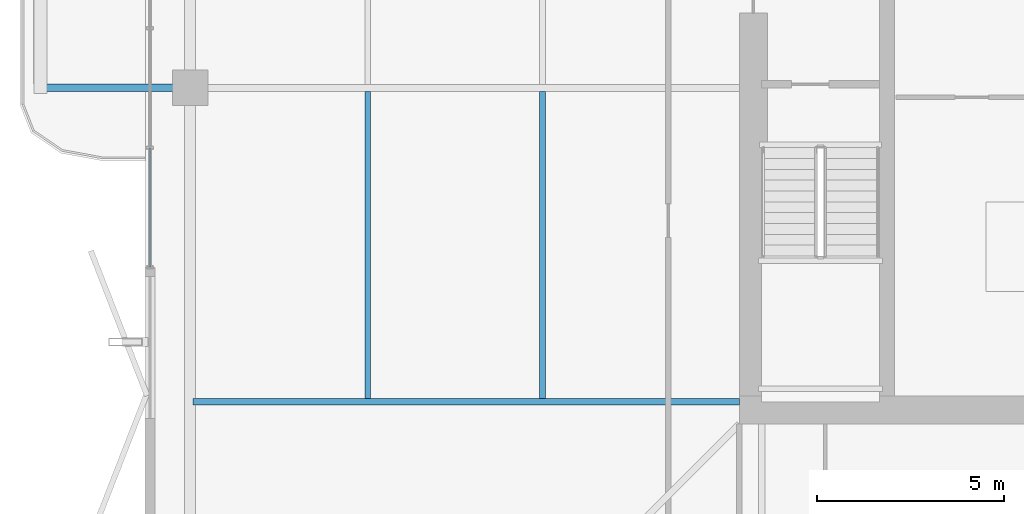
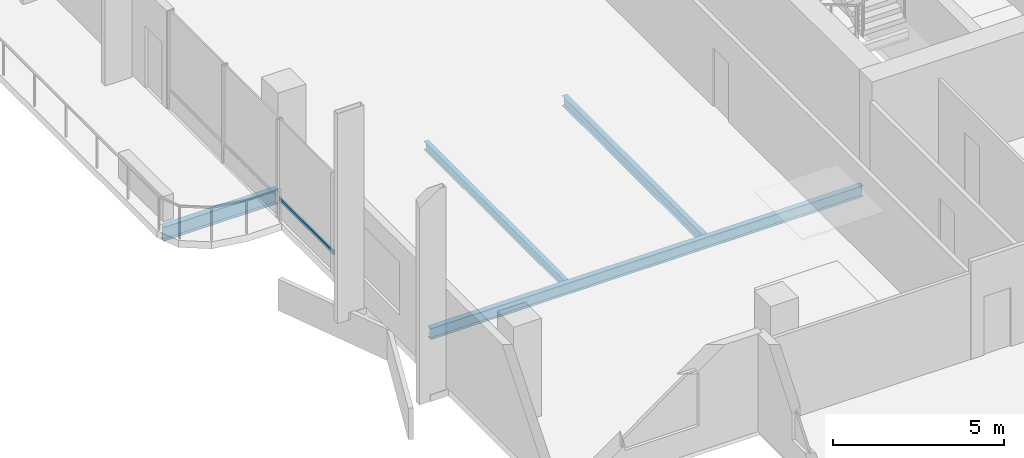
# One storey, part 5 of 25: 4 beams, 1 member, 1 element without a shape of its own.
"""IFC4 building model written with IfcOpenShell, lengths in metres."""

import ifcopenshell
import ifcopenshell.guid

model = None  # the IFC model being written
_history = None  # IfcOwnerHistory: only IFC2X3 demands one
_inside = {}  # id of a spatial element -> (the spatial element, [elements in it])
_under = {}  # id of a project, library or spatial element -> (it, [spatial elements below it])
_declared = {}  # id of a project -> (the project, [libraries it declares])
_typed = {}  # id of a type object -> (the type object, [elements of that type])
_made_of = {}  # id of a material, layer set ... -> (it, [elements and type objects made of it])


def new_model(schema):
    """Start an empty IFC model of exactly this schema.

    Asked for "IFC4X3", IfcOpenShell would pick the latest addendum, in which some entities
    have other attributes; the version numbers below select the first issue.
    IFC2X3 requires an IfcOwnerHistory on every rooted entity: one is made here for all.
    """
    global model, _history
    if schema == "IFC4X3":
        model = ifcopenshell.file(schema_version=(4, 3, 0, 0))
    else:
        model = ifcopenshell.file(schema=schema)
    _inside.clear()
    _under.clear()
    _declared.clear()
    _typed.clear()
    _made_of.clear()
    _history = None
    if model.schema == "IFC2X3":
        org = make("IfcOrganization", Name="unknown")
        user = make(
            "IfcPersonAndOrganization",
            ThePerson=make("IfcPerson", FamilyName="unknown"),
            TheOrganization=org,
        )
        app = make(
            "IfcApplication",
            ApplicationDeveloper=org,
            Version="unknown",
            ApplicationFullName="unknown",
            ApplicationIdentifier="unknown",
        )
        _history = make(
            "IfcOwnerHistory",
            OwningUser=user,
            OwningApplication=app,
            ChangeAction="ADDED",
            CreationDate=0,
        )
    return model


def make(cls, **values):
    """One entity of the class cls with the attributes given. An attribute that is None is left unset."""
    return model.create_entity(
        cls, **{name: value for name, value in values.items() if value is not None}
    )


def rooted(cls, **values):
    """An entity with a GlobalId (a new one), such as an element, a storey or a relation."""
    return make(cls, GlobalId=ifcopenshell.guid.new(), OwnerHistory=_history, **values)


def si_unit(unit_type, name, prefix=None):
    """IfcSIUnit, for example si_unit("LENGTHUNIT", "METRE", prefix="MILLI")."""
    return make("IfcSIUnit", UnitType=unit_type, Prefix=prefix, Name=name)


def assignment(units):
    """IfcUnitAssignment: the units of a project."""
    return None if units is None else make("IfcUnitAssignment", Units=units)


def point(xyz):
    """IfcCartesianPoint."""
    return None if xyz is None else make("IfcCartesianPoint", Coordinates=xyz)


def direction(xyz):
    """IfcDirection."""
    return None if xyz is None else make("IfcDirection", DirectionRatios=xyz)


def frame(location, z_axis=None, x_axis=None):
    """IfcAxis2Placement3D, a coordinate frame: its origin and axes. An axis left out is left unset."""
    return make(
        "IfcAxis2Placement3D",
        Location=point(location),
        Axis=direction(z_axis),
        RefDirection=direction(x_axis),
    )


def frame_2d(location, x_axis=None):
    """IfcAxis2Placement2D, a coordinate frame in the plane: its origin and x axis."""
    return make(
        "IfcAxis2Placement2D", Location=point(location), RefDirection=direction(x_axis)
    )


def origin():
    """The frame at (0, 0, 0) with its axes left unset."""
    return frame((0.0, 0.0, 0.0))


def origin_2d():
    """The frame at (0, 0) in the plane with its x axis left unset."""
    return frame_2d((0.0, 0.0))


def place(relative_to, where):
    """IfcLocalPlacement: puts the frame where relative to a parent placement (None: the world)."""
    return make(
        "IfcLocalPlacement", PlacementRelTo=relative_to, RelativePlacement=where
    )


def context(
    kind, dimensions, precision=None, world=None, true_north=None, identifier=None
):
    """IfcGeometricRepresentationContext, for example the 3D "Model" context."""
    return make(
        "IfcGeometricRepresentationContext",
        ContextIdentifier=identifier,
        ContextType=kind,
        CoordinateSpaceDimension=dimensions,
        Precision=precision,
        WorldCoordinateSystem=world,
        TrueNorth=true_north,
    )


def subcontext(parent, identifier, kind, view, scale=None):
    """IfcGeometricRepresentationSubContext, for example "Body" below "Model"."""
    return make(
        "IfcGeometricRepresentationSubContext",
        ContextIdentifier=identifier,
        ContextType=kind,
        ParentContext=parent,
        TargetScale=scale,
        TargetView=view,
    )


def project(units=None, contexts=None):
    """IfcProject with its units and contexts."""
    return rooted(
        "IfcProject",
        Name="project",
        RepresentationContexts=contexts,
        UnitsInContext=assignment(units),
    )


def spatial(cls, under=None, at=None, **own):
    """A site, building, storey or space (cls), placed at a placement, below another one or the project."""
    s = rooted(cls, ObjectPlacement=at, **own)
    if under is not None:
        _under.setdefault(under.id(), (under, []))[1].append(s)
    return s


def profile(cls, at=None, kind="AREA", **sizes):
    """A parametric profile (cls). Its sizes go by their IFC names, for example OverallWidth=200.0."""
    return make(cls, ProfileType=kind, Position=at, **sizes)


def hollow_rectangle(**sizes):
    """IfcRectangleHollowProfileDef."""
    return profile("IfcRectangleHollowProfileDef", **sizes)


def i_section(**sizes):
    """IfcIShapeProfileDef."""
    return profile("IfcIShapeProfileDef", **sizes)


def extrude(swept, where, along, depth):
    """IfcExtrudedAreaSolid: the profile swept, set in the frame where, extruded along a direction by depth."""
    return make(
        "IfcExtrudedAreaSolid",
        SweptArea=swept,
        Position=where,
        ExtrudedDirection=direction(along),
        Depth=depth,
    )


def shape(context_of_items, identifier, shape_type, items):
    """IfcShapeRepresentation: the items that make up one representation, for example the "Body"."""
    return make(
        "IfcShapeRepresentation",
        ContextOfItems=context_of_items,
        RepresentationIdentifier=identifier,
        RepresentationType=shape_type,
        Items=items,
    )


def material(Name=None, Category=None):
    """IfcMaterial."""
    return make("IfcMaterial", Name=Name, Category=Category)


def layer(
    of_material, thickness, ventilated=None, Name=None, Category=None, Priority=None
):
    """IfcMaterialLayer: one layer of a wall or slab, of a material (None: an air gap)."""
    return make(
        "IfcMaterialLayer",
        Material=of_material,
        LayerThickness=thickness,
        IsVentilated=ventilated,
        Name=Name,
        Category=Category,
        Priority=Priority,
    )


def layer_set(layers, Name=None):
    """IfcMaterialLayerSet."""
    return make("IfcMaterialLayerSet", MaterialLayers=layers, LayerSetName=Name)


def material_profile(
    of_material, cross_section, Name=None, Category=None, Priority=None
):
    """IfcMaterialProfile: a cross section and its material."""
    return make(
        "IfcMaterialProfile",
        Name=Name,
        Material=of_material,
        Profile=cross_section,
        Priority=Priority,
        Category=Category,
    )


def profile_set(profiles, Name=None, composite=None):
    """IfcMaterialProfileSet."""
    return make(
        "IfcMaterialProfileSet",
        Name=Name,
        MaterialProfiles=profiles,
        CompositeProfile=composite,
    )


def made_of(thing, what):
    """Note that an element or type object is made of a material, layer set ...; save() writes the relation."""
    if what is not None:
        _made_of.setdefault(what.id(), (what, []))[1].append(thing)
    return thing


def type_object(cls, material=None, **own):
    """A type object (cls), such as IfcWallType, which elements share."""
    return made_of(rooted(cls, **own), material)


def element(
    cls,
    number,
    at=None,
    inside=None,
    cuts=None,
    type_object=None,
    material=None,
    context=None,
    identifier="Body",
    shape_type=None,
    held_by="IfcProductDefinitionShape",
    body=None,
    shapes=None,
    **own,
):
    """One element of the class cls, such as IfcWall. Its Tag is "e" and its number.

    at: its placement. inside: the storey or other place that contains it. cuts: it is an
    opening in that element (IfcRelVoidsElement). A single representation is given by context,
    identifier, shape_type and body (its items); several are given by shapes. held_by: the class
    of the entity that holds the representations. save() writes the other relations.
    """
    e = rooted(cls, Tag="e%d" % number, ObjectPlacement=at, **own)
    if body is not None:
        shapes = [shape(context, identifier, shape_type, body)]
    if shapes is not None:
        e.Representation = make(held_by, Representations=shapes)
    if inside is not None:
        _inside.setdefault(inside.id(), (inside, []))[1].append(e)
    if cuts is not None:
        rooted(
            "IfcRelVoidsElement", RelatingBuildingElement=cuts, RelatedOpeningElement=e
        )
    if type_object is not None:
        _typed.setdefault(type_object.id(), (type_object, []))[1].append(e)
    return made_of(e, material)


def aggregate(whole, parts):
    """IfcRelAggregates: a whole, such as a stair, and the parts it consists of."""
    return rooted("IfcRelAggregates", RelatingObject=whole, RelatedObjects=parts)


def save(model, path):
    """Write the relations noted so far, then the file.

    IfcRelAggregates (storeys below a building ...), IfcRelContainedInSpatialStructure (elements
    in a storey), IfcRelDefinesByType, IfcRelAssociatesMaterial and IfcRelDeclares: one each for
    every whole, place, type object, material and project.
    """
    for whole, parts in _under.values():
        aggregate(whole, parts)
    for where, things in _inside.values():
        rooted(
            "IfcRelContainedInSpatialStructure",
            RelatedElements=things,
            RelatingStructure=where,
        )
    for kind, things in _typed.values():
        rooted("IfcRelDefinesByType", RelatedObjects=things, RelatingType=kind)
    for what, things in _made_of.values():
        rooted("IfcRelAssociatesMaterial", RelatedObjects=things, RelatingMaterial=what)
    for by, libraries in _declared.values():
        rooted("IfcRelDeclares", RelatingContext=by, RelatedDefinitions=libraries)
    model.write(path)


model = new_model("IFC4")

# Units and contexts
model_context = context("Model", 3, precision=1e-05, world=origin(), true_north=direction((0.0, 1.0)))
body_context = subcontext(model_context, "Body", "Model", "MODEL_VIEW")
ifc_project = project(units=[si_unit("LENGTHUNIT", "METRE"), si_unit("AREAUNIT", "SQUARE_METRE"), si_unit("VOLUMEUNIT", "CUBIC_METRE"), si_unit("PLANEANGLEUNIT", "RADIAN"), si_unit("MASSUNIT", "GRAM", prefix="KILO")], contexts=[model_context])

# Site, building, storey
site_placement = place(None, origin())
site = spatial("IfcSite", under=ifc_project, at=site_placement, CompositionType="ELEMENT")
building_placement = place(site_placement, origin())
building = spatial("IfcBuilding", under=site, at=building_placement, Name="Belovzor Exchange Tower", CompositionType="ELEMENT")
storey_placement = place(building_placement, frame((0.0, 0.0, 265.35009765625)))
storey = spatial("IfcBuildingStorey", under=building, at=storey_placement, Name="L66", CompositionType="ELEMENT", Elevation=265.35009765625)

# Beams
ifc_material_1 = material(Name="Steel S355", Category="steel")
ifc_material_profile_1 = material_profile(ifc_material_1, i_section(OverallWidth=0.199951171875, OverallDepth=0.5, WebThickness=0.01025390625, FlangeThickness=0.01611328125, at=origin_2d()))
ifc_profile_set_1 = profile_set([ifc_material_profile_1], Name="Steel S355")
beam_type_1 = type_object("IfcBeamType", Name="Planted Balcony Cantilever Beam IPE 500", PredefinedType="BEAM", material=ifc_profile_set_1)
beam_1_placement = place(storey_placement, frame((4.839111328125, 28.800048828125, -0.5), z_axis=(-1.0, 0.0, 0.0), x_axis=(0.0, -1.0, 0.0)))
element("IfcBeam", 1, at=beam_1_placement, inside=storey, type_object=beam_type_1, Name="BC-500 Planted Balcony Cantilever Beam IPE 500", PredefinedType="BEAM", context=body_context, shape_type="SweptSolid", body=[
    extrude(i_section(OverallWidth=0.199951171875, OverallDepth=0.5, WebThickness=0.01025390625, FlangeThickness=0.01611328125, at=origin_2d()), origin(), (0.0, 0.0, 1.0), 3.85009765625),
])
ifc_material_2 = material(Name="Steel S355", Category="steel")
ifc_material_profile_2 = material_profile(ifc_material_2, i_section(OverallWidth=0.169921875, OverallDepth=0.360107421875, WebThickness=0.008056640625, FlangeThickness=0.0126953125, at=origin_2d()))
ifc_profile_set_2 = profile_set([ifc_material_profile_2], Name="Steel S355")
beam_type_2 = type_object("IfcBeamType", Name="Secondary Infill Floor Joist IPE 360", PredefinedType="BEAM", material=ifc_profile_set_2)
beam_2_placement = place(storey_placement, frame((14.534912109375, 20.489990234375, -0.43017578125), z_axis=(0.0, 1.0, 0.0), x_axis=(-1.0, 0.0, 0.0)))
element("IfcBeam", 2, at=beam_2_placement, inside=storey, type_object=beam_type_2, Name="FJ-360 Secondary Infill Floor Joist IPE 360", PredefinedType="BEAM", context=body_context, shape_type="SweptSolid", body=[
    extrude(i_section(OverallWidth=0.169921875, OverallDepth=0.360107421875, WebThickness=0.008056640625, FlangeThickness=0.0126953125, at=origin_2d()), origin(), (0.0, 0.0, 1.0), 8.219970703125),
])
ifc_material_3 = material(Name="Steel S355", Category="steel")
ifc_material_profile_3 = material_profile(ifc_material_3, i_section(OverallWidth=0.14990234375, OverallDepth=0.300048828125, WebThickness=0.007080078125, FlangeThickness=0.0107421875, at=origin_2d()))
ifc_profile_set_3 = profile_set([ifc_material_profile_3], Name="Steel S355")
beam_type_3 = type_object("IfcBeamType", Name="Secondary Trim Floor Joist IPE 300", PredefinedType="BEAM", material=ifc_profile_set_3)
beam_3_placement = place(storey_placement, frame((9.85498046875, 20.489990234375, -0.400146484375), z_axis=(0.0, 1.0, 0.0), x_axis=(-1.0, 0.0, 0.0)))
element("IfcBeam", 3, at=beam_3_placement, inside=storey, type_object=beam_type_3, Name="FJ-300 Secondary Trim Floor Joist IPE 300", PredefinedType="BEAM", context=body_context, shape_type="SweptSolid", body=[
    extrude(i_section(OverallWidth=0.14990234375, OverallDepth=0.300048828125, WebThickness=0.007080078125, FlangeThickness=0.0107421875, at=origin_2d()), origin(), (0.0, 0.0, 1.0), 8.219970703125),
])

# Curtain wall, member
ifc_material_4 = material(Name="Anodised Aluminium Framing", Category="aluminium")
ifc_layer = layer(ifc_material_4, 0.179931640625)
ifc_layer_set = layer_set([ifc_layer], Name="Anodised Aluminium Framing")
curtain_wall_type = type_object("IfcCurtainWallType", Name="Recessed Loggia Low-Iron Triple-Glazed Curtain Wall", PredefinedType="NOTDEFINED", material=ifc_layer_set)
curtain_wall_placement = place(storey_placement, origin())
curtain_wall = element("IfcCurtainWall", 4, at=curtain_wall_placement, inside=storey, type_object=curtain_wall_type, Name="CW3 Recessed Loggia Low-Iron Triple-Glazed Curtain Wall L66", PredefinedType="NOTDEFINED")
ifc_material_5 = material(Name="Steel S355", Category="steel")
ifc_material_profile_4 = material_profile(ifc_material_5, hollow_rectangle(XDim=0.06005859375, YDim=0.14990234375, WallThickness=0.00390625, at=origin_2d()))
ifc_profile_set_4 = profile_set([ifc_material_profile_4], Name="Steel S355")
member_type = type_object("IfcMemberType", Name="Thermally Broken Curtain Wall Transom 150x60", PredefinedType="USERDEFINED", material=ifc_profile_set_4)
member_placement = place(storey_placement, frame((4.030029296875, 24.008056640625, 0.6298828125), z_axis=(0.0, 1.0, 0.0), x_axis=(-1.0, 0.0, 0.0)))
member = element("IfcMember", 5, at=member_placement, type_object=member_type, Name="CW-T150 Curtain Wall Transom 1", ObjectType="TRANSOM", PredefinedType="USERDEFINED", context=body_context, shape_type="SweptSolid", body=[
    extrude(hollow_rectangle(XDim=0.06005859375, YDim=0.14990234375, WallThickness=0.00390625, at=origin_2d()), origin(), (0.0, 0.0, 1.0), 3.183837890625),
])
aggregate(curtain_wall, [member])

# Beam
ifc_material_6 = material(Name="Steel S355", Category="steel")
ifc_material_profile_5 = material_profile(ifc_material_6, i_section(OverallWidth=0.179931640625, OverallDepth=0.39990234375, WebThickness=0.008544921875, FlangeThickness=0.013427734375, at=origin_2d()))
ifc_profile_set_5 = profile_set([ifc_material_profile_5], Name="Steel S355")
beam_type_4 = type_object("IfcBeamType", Name="Zone 5-6 Radial Composite Floor Beam IPE 400", PredefinedType="BEAM", material=ifc_profile_set_5)
beam_4_placement = place(storey_placement, frame((19.800048828125, 20.39990234375, -0.4501953125), z_axis=(-1.0, 0.0, 0.0), x_axis=(0.0, -1.0, 0.0)))
element("IfcBeam", 6, at=beam_4_placement, inside=storey, type_object=beam_type_4, Name="FB-400 Zone 5-6 Radial Composite Floor Beam IPE 400", PredefinedType="BEAM", context=body_context, shape_type="SweptSolid", body=[
    extrude(i_section(OverallWidth=0.179931640625, OverallDepth=0.39990234375, WebThickness=0.008544921875, FlangeThickness=0.013427734375, at=origin_2d()), origin(), (0.0, 0.0, 1.0), 14.625),
])

save(model, "model.ifc")
